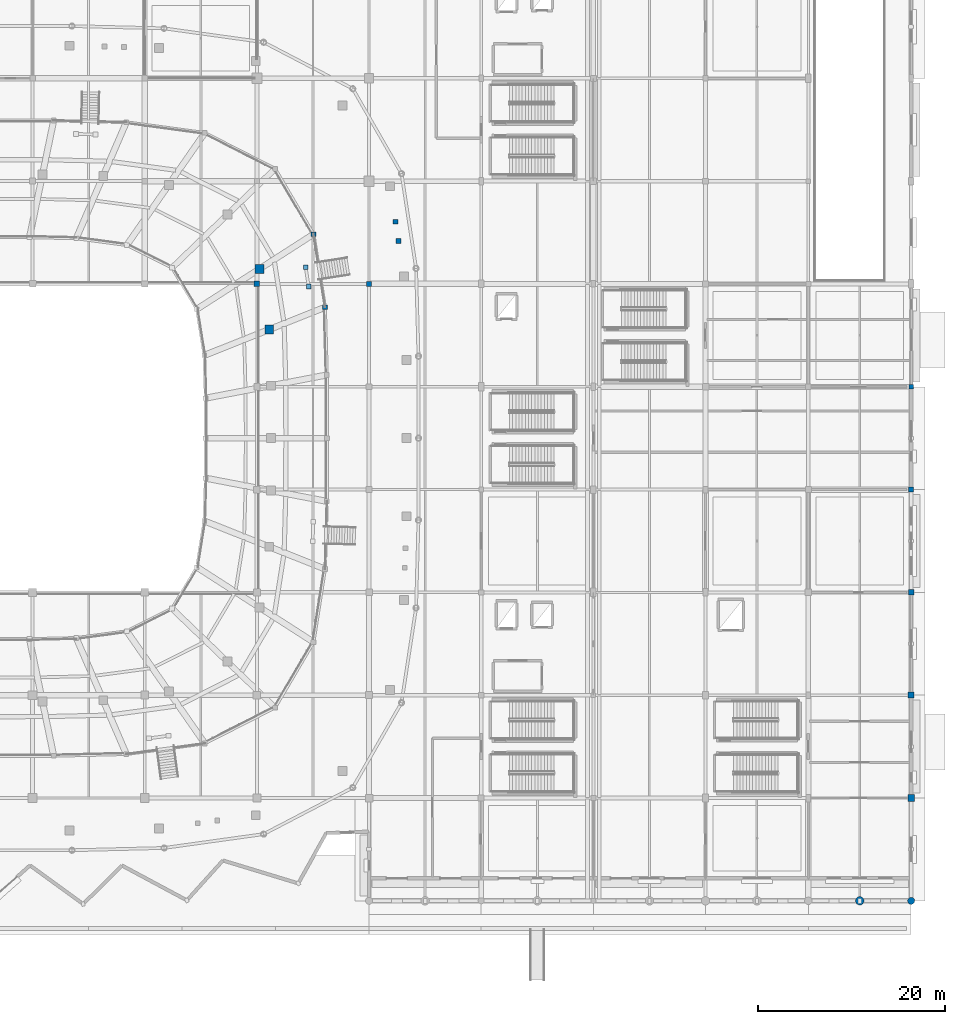
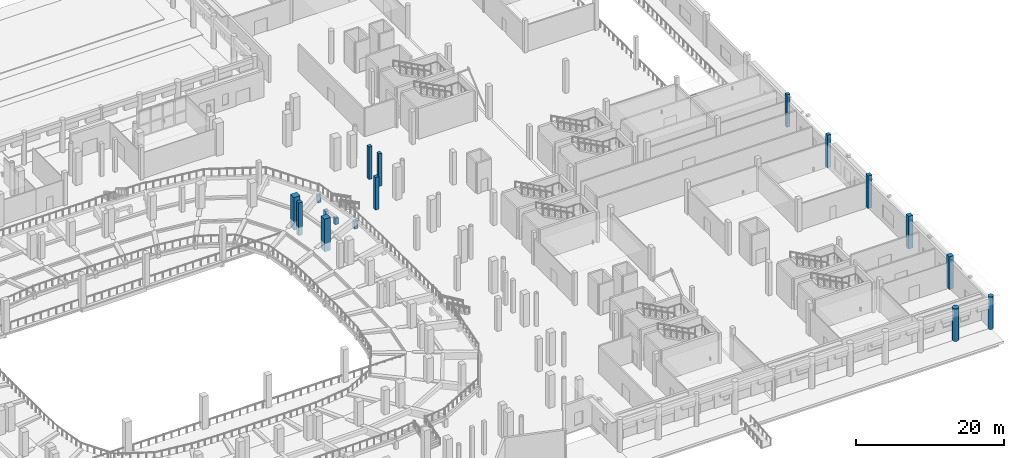
# One storey, part 12 of 120: 17 columns.
"""IFC4 building model written with IfcOpenShell, lengths in metres."""

from ifc_helpers import new_model, si_unit, direction, frame, origin, origin_2d, place, context, subcontext, project, spatial, rectangle, circle, extrude, material, material_profile, profile_set, type_object, element, save


model = new_model("IFC4")

# Units and contexts
model_context = context("Model", 3, precision=1e-05, world=origin(), true_north=direction((0.0, 1.0)))
body_context = subcontext(model_context, "Body", "Model", "MODEL_VIEW")
ifc_project = project(units=[si_unit("LENGTHUNIT", "METRE"), si_unit("AREAUNIT", "SQUARE_METRE"), si_unit("VOLUMEUNIT", "CUBIC_METRE"), si_unit("PLANEANGLEUNIT", "RADIAN"), si_unit("MASSUNIT", "GRAM", prefix="KILO")], contexts=[model_context])

# Site, building, storey
site_placement = place(None, origin())
site = spatial("IfcSite", under=ifc_project, at=site_placement, CompositionType="ELEMENT")
building_placement = place(site_placement, origin())
building = spatial("IfcBuilding", under=site, at=building_placement, Name="Luwafu Chhajja Arena", CompositionType="ELEMENT")
storey_placement = place(building_placement, origin())
storey = spatial("IfcBuildingStorey", under=building, at=storey_placement, Name="L00", CompositionType="ELEMENT", Elevation=0.0)

# Columns
ifc_material_1 = material(Name="Concrete C40/50", Category="concrete")
ifc_material_profile_1 = material_profile(ifc_material_1, rectangle(XDim=0.949951171875, YDim=0.949951171875, at=origin_2d()), Name="RC 950x950")
ifc_profile_set_1 = profile_set([ifc_material_profile_1], Name="Concrete C40/50")
column_type_1 = type_object("IfcColumnType", Name="Bowl Raker Support Column RC 950", PredefinedType="COLUMN", material=ifc_profile_set_1)
for number, where, z_axis, x_axis, name in (
    (1, (129.323486328125, 61.11328125, 0.0), (0.0, 0.0, 1.0), (1.0, 0.0, 0.0), "L00 Upper Bowl Raker Column UI03"),
    (2, (128.298583984375, 67.600341796875, 0.0), (0.0, 0.0, 1.0), (1.0, 0.0, 0.0), "L00 Upper Bowl Raker Column UI04"),
):
    element("IfcColumn", number, at=place(storey_placement, frame(where, z_axis=z_axis, x_axis=x_axis)), inside=storey, type_object=column_type_1, Name=name, PredefinedType="COLUMN", context=body_context, shape_type="SweptSolid", body=[
        extrude(rectangle(XDim=0.949951171875, YDim=0.949951171875, at=origin_2d()), origin(), (0.0, 0.0, 1.0), 5.39990234375),
    ])
ifc_material_2 = material(Name="Concrete C35/45", Category="concrete")
ifc_material_profile_2 = material_profile(ifc_material_2, circle(Radius=0.375, at=origin_2d()), Name="RC COL D750")
ifc_profile_set_2 = profile_set([ifc_material_profile_2], Name="Concrete C35/45")
column_type_2 = type_object("IfcColumnType", Name="Charbagh Cloister Pier D750", PredefinedType="COLUMN", material=ifc_profile_set_2)
column_1_placement = place(storey_placement, frame((198.0, 0.0, 0.0), z_axis=(0.0, 0.0, 1.0), x_axis=(1.0, 0.0, 0.0)))
element("IfcColumn", 3, at=column_1_placement, inside=storey, type_object=column_type_2, Name="L00 Grid Column 18/A", PredefinedType="COLUMN", context=body_context, shape_type="SweptSolid", body=[
    extrude(circle(Radius=0.375, at=origin_2d()), origin(), (0.0, 0.0, 1.0), 5.39990234375),
])
ifc_material_profile_3 = material_profile(ifc_material_2, rectangle(XDim=0.550048828125, YDim=0.550048828125, at=origin_2d()), Name="RC 550x550")
ifc_profile_set_3 = profile_set([ifc_material_profile_3], Name="Concrete C35/45")
column_type_3 = type_object("IfcColumnType", Name="Gallery Column RC 550", PredefinedType="COLUMN", material=ifc_profile_set_3)
for number, where, z_axis, x_axis, name in (
    (4, (140.0, 66.0, 0.0), (0.0, 0.0, 1.0), (1.0, 0.0, 0.0), "L00 Grid Column 13/G"),
    (5, (198.0, 44.0, 0.0), (0.0, 0.0, 1.0), (1.0, 0.0, 0.0), "L00 Grid Column 18/E"),
):
    element("IfcColumn", number, at=place(storey_placement, frame(where, z_axis=z_axis, x_axis=x_axis)), inside=storey, type_object=column_type_3, Name=name, PredefinedType="COLUMN", context=body_context, shape_type="SweptSolid", body=[
        extrude(rectangle(XDim=0.550048828125, YDim=0.550048828125, at=origin_2d()), origin(), (0.0, 0.0, 1.0), 5.39990234375),
    ])
ifc_material_profile_4 = material_profile(ifc_material_2, rectangle(XDim=0.60009765625, YDim=0.60009765625, at=origin_2d()), Name="RC 600x600")
ifc_profile_set_4 = profile_set([ifc_material_profile_4], Name="Concrete C35/45")
column_type_4 = type_object("IfcColumnType", Name="Mezzanine Column RC 600", PredefinedType="COLUMN", material=ifc_profile_set_4)
for number, where, z_axis, x_axis, name in (
    (6, (128.0, 66.0, 0.0), (0.0, 0.0, 1.0), (1.0, 0.0, 0.0), "L00 Grid Column 12/G"),
    (7, (198.0, 33.0, 0.0), (0.0, 0.0, 1.0), (1.0, 0.0, 0.0), "L00 Grid Column 18/D"),
):
    element("IfcColumn", number, at=place(storey_placement, frame(where, z_axis=z_axis, x_axis=x_axis)), inside=storey, type_object=column_type_4, Name=name, PredefinedType="COLUMN", context=body_context, shape_type="SweptSolid", body=[
        extrude(rectangle(XDim=0.60009765625, YDim=0.60009765625, at=origin_2d()), origin(), (0.0, 0.0, 1.0), 5.39990234375),
    ])
ifc_material_profile_5 = material_profile(ifc_material_1, circle(Radius=0.449951171875, at=origin_2d()), Name="RC COL D900")
ifc_profile_set_5 = profile_set([ifc_material_profile_5], Name="Concrete C40/50")
column_type_5 = type_object("IfcColumnType", Name="Mughal Colonnade Drum Pier D900", PredefinedType="COLUMN", material=ifc_profile_set_5)
column_2_placement = place(storey_placement, frame((192.5, 0.0, 0.0), z_axis=(0.0, 0.0, 1.0), x_axis=(1.0, 0.0, 0.0)))
element("IfcColumn", 8, at=column_2_placement, inside=storey, type_object=column_type_5, Name="L00 Mughal Riwaq Colonnade Pier SLW16", PredefinedType="COLUMN", context=body_context, shape_type="SweptSolid", body=[
    extrude(circle(Radius=0.449951171875, at=origin_2d()), origin(), (0.0, 0.0, 1.0), 5.39990234375),
])
ifc_material_profile_6 = material_profile(ifc_material_2, rectangle(XDim=0.5, YDim=0.5, at=origin_2d()), Name="RC 500x500")
ifc_profile_set_6 = profile_set([ifc_material_profile_6], Name="Concrete C35/45")
column_type_6 = type_object("IfcColumnType", Name="Pavilion Column RC 500", PredefinedType="COLUMN", material=ifc_profile_set_6)
column_3_placement = place(storey_placement, frame((198.0, 55.0, 0.0), z_axis=(0.0, 0.0, 1.0), x_axis=(1.0, 0.0, 0.0)))
element("IfcColumn", 9, at=column_3_placement, inside=storey, type_object=column_type_6, Name="L00 Grid Column 18/F", PredefinedType="COLUMN", context=body_context, shape_type="SweptSolid", body=[
    extrude(rectangle(XDim=0.5, YDim=0.5, at=origin_2d()), origin(), (0.0, 0.0, 1.0), 5.39990234375),
])
column_4_placement = place(storey_placement, frame((135.288818359375, 63.501708984375, 0.0), z_axis=(0.0, 0.0, 1.0), x_axis=(1.0, 0.0, 0.0)))
element("IfcColumn", 10, at=column_4_placement, inside=storey, type_object=column_type_6, Name="L00 Raker Heel Plinth 03", PredefinedType="COLUMN", context=body_context, shape_type="SweptSolid", body=[
    extrude(rectangle(XDim=0.5, YDim=0.5, at=origin_2d()), origin(), (0.0, 0.0, 1.0), 1.280029296875),
])
for number, where, z_axis, x_axis, name in (
    (11, (133.542236328125, 65.724609375, 0.0), (0.0, 0.0, 1.0), (1.0, 0.0, 0.0), "L00 Vomitory Header Column VL03A"),
    (12, (133.216796875, 67.799072265625, 0.0), (0.0, 0.0, 1.0), (1.0, 0.0, 0.0), "L00 Vomitory Header Column VL03B"),
):
    element("IfcColumn", number, at=place(storey_placement, frame(where, z_axis=z_axis, x_axis=x_axis)), inside=storey, type_object=column_type_6, Name=name, PredefinedType="COLUMN", context=body_context, shape_type="SweptSolid", body=[
        extrude(rectangle(XDim=0.5, YDim=0.5, at=origin_2d()), origin(), (0.0, 0.0, 1.0), 1.050048828125),
    ])
for number, where, z_axis, x_axis, name in (
    (13, (143.145751953125, 70.58984375, 0.0), (0.0, 0.0, 1.0), (1.0, 0.0, 0.0), "L00 Vomitory Stack Column VU03A"),
    (14, (142.821044921875, 72.66455078125, 0.0), (0.0, 0.0, 1.0), (1.0, 0.0, 0.0), "L00 Vomitory Stack Column VU03B"),
):
    element("IfcColumn", number, at=place(storey_placement, frame(where, z_axis=z_axis, x_axis=x_axis)), inside=storey, type_object=column_type_6, Name=name, PredefinedType="COLUMN", context=body_context, shape_type="SweptSolid", body=[
        extrude(rectangle(XDim=0.5, YDim=0.5, at=origin_2d()), origin(), (0.0, 0.0, 1.0), 5.39990234375),
    ])
column_5_placement = place(storey_placement, frame((134.06201171875, 71.322998046875, 0.0), z_axis=(0.0, 0.0, 1.0), x_axis=(1.0, 0.0, 0.0)))
element("IfcColumn", 15, at=column_5_placement, inside=storey, type_object=column_type_6, Name="L00 Raker Heel Plinth 04", PredefinedType="COLUMN", context=body_context, shape_type="SweptSolid", body=[
    extrude(rectangle(XDim=0.5, YDim=0.5, at=origin_2d()), origin(), (0.0, 0.0, 1.0), 1.280029296875),
])
ifc_material_profile_7 = material_profile(ifc_material_2, rectangle(XDim=0.64990234375, YDim=0.64990234375, at=origin_2d()), Name="RC 650x650")
ifc_profile_set_7 = profile_set([ifc_material_profile_7], Name="Concrete C35/45")
column_type_7 = type_object("IfcColumnType", Name="Upper Wing Column RC 650", PredefinedType="COLUMN", material=ifc_profile_set_7)
column_6_placement = place(storey_placement, frame((198.0, 22.0, 0.0), z_axis=(0.0, 0.0, 1.0), x_axis=(1.0, 0.0, 0.0)))
element("IfcColumn", 16, at=column_6_placement, inside=storey, type_object=column_type_7, Name="L00 Grid Column 18/C", PredefinedType="COLUMN", context=body_context, shape_type="SweptSolid", body=[
    extrude(rectangle(XDim=0.64990234375, YDim=0.64990234375, at=origin_2d()), origin(), (0.0, 0.0, 1.0), 5.39990234375),
])
ifc_material_profile_8 = material_profile(ifc_material_2, rectangle(XDim=0.699951171875, YDim=0.699951171875, at=origin_2d()), Name="RC 700x700")
ifc_profile_set_8 = profile_set([ifc_material_profile_8], Name="Concrete C35/45")
column_type_8 = type_object("IfcColumnType", Name="Wing Frame Column RC 700", PredefinedType="COLUMN", material=ifc_profile_set_8)
column_7_placement = place(storey_placement, frame((198.0, 11.0, 0.0), z_axis=(0.0, 0.0, 1.0), x_axis=(1.0, 0.0, 0.0)))
element("IfcColumn", 17, at=column_7_placement, inside=storey, type_object=column_type_8, Name="L00 Grid Column 18/B", PredefinedType="COLUMN", context=body_context, shape_type="SweptSolid", body=[
    extrude(rectangle(XDim=0.699951171875, YDim=0.699951171875, at=origin_2d()), origin(), (0.0, 0.0, 1.0), 5.39990234375),
])

save(model, "model.ifc")
